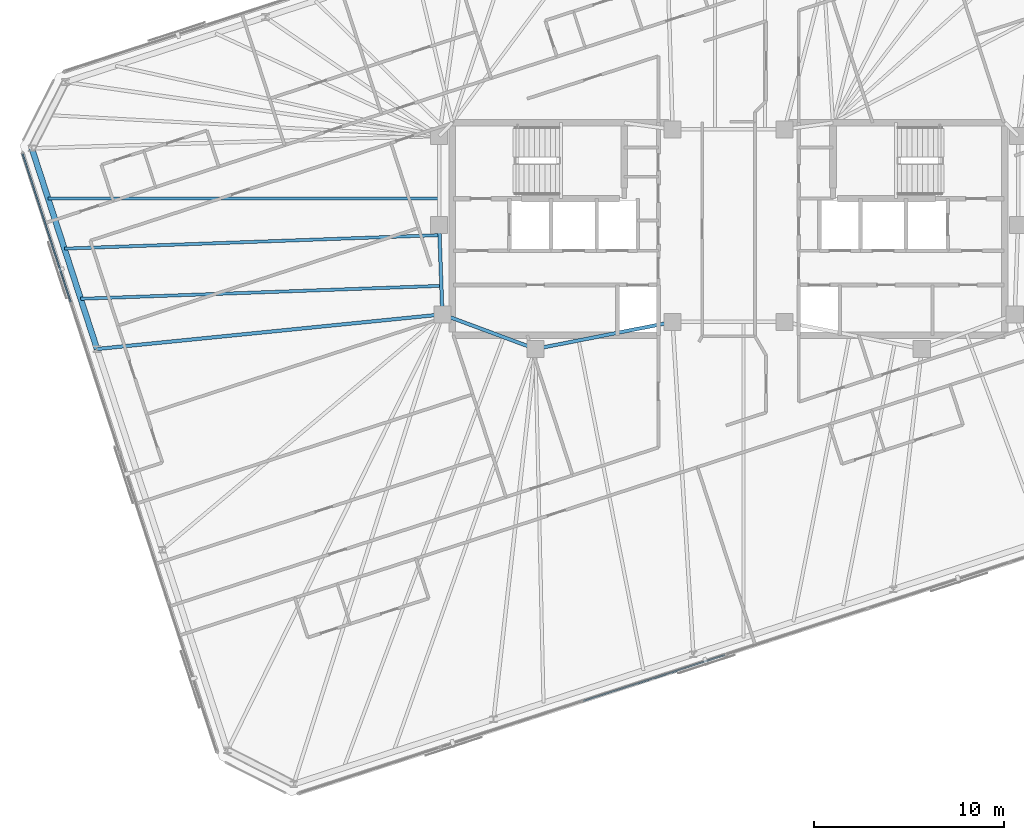
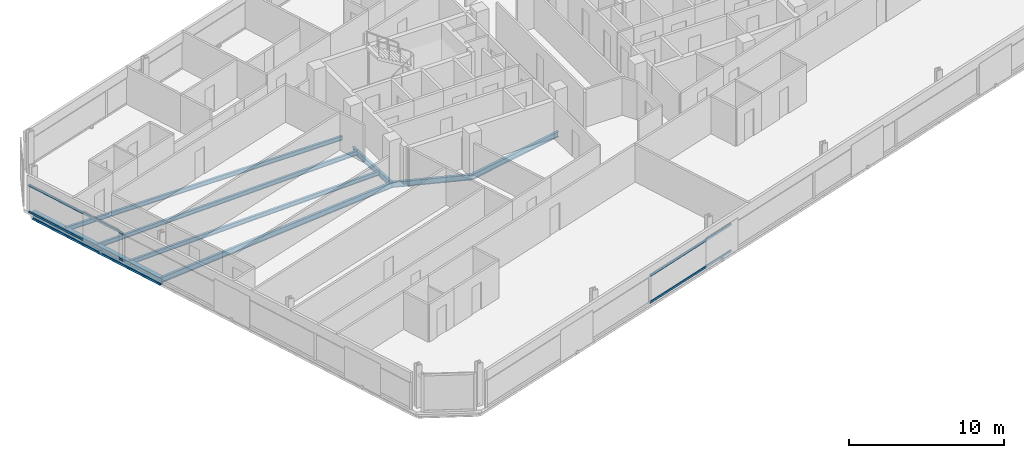
# One storey, part 6 of 19: 8 beams, 4 members, 2 elements without a shape of their own.
"""IFC4 building model written with IfcOpenShell, lengths in metres."""

from ifc_helpers import new_model, si_unit, direction, frame, origin, origin_2d, place, context, subcontext, project, spatial, rectangle, i_section, extrude, material, material_profile, profile_set, type_object, element, aggregate, save


model = new_model("IFC4")

# Units and contexts
model_context = context("Model", 3, precision=1e-05, world=origin(), true_north=direction((0.0, 1.0)))
body_context = subcontext(model_context, "Body", "Model", "MODEL_VIEW")
ifc_project = project(units=[si_unit("LENGTHUNIT", "METRE"), si_unit("AREAUNIT", "SQUARE_METRE"), si_unit("VOLUMEUNIT", "CUBIC_METRE"), si_unit("PLANEANGLEUNIT", "RADIAN"), si_unit("MASSUNIT", "GRAM", prefix="KILO")], contexts=[model_context])

# Site, building, storey
site_placement = place(None, origin())
site = spatial("IfcSite", under=ifc_project, at=site_placement, CompositionType="ELEMENT")
building_placement = place(site_placement, origin())
building = spatial("IfcBuilding", under=site, at=building_placement, Name="Menara Jurai Vektor", CompositionType="ELEMENT")
storey_placement = place(building_placement, frame((0.0, 0.0, 251.10009765625)))
storey = spatial("IfcBuildingStorey", under=building, at=storey_placement, Name="L67", CompositionType="ELEMENT", Elevation=251.10009765625)

# Curtain wall, members
ifc_material_1 = material(Name="Anodised Pale Aluminium & Low-E Double Glazing", Category="aluminium")
curtain_wall_type = type_object("IfcCurtainWallType", Name="CW-BLK4", PredefinedType="NOTDEFINED", material=ifc_material_1)
curtain_wall_1_placement = place(storey_placement, origin())
curtain_wall_1 = element("IfcCurtainWall", 1, at=curtain_wall_1_placement, inside=storey, type_object=curtain_wall_type, Name="Unitised Curtain Wall L67 F01", PredefinedType="NOTDEFINED")
ifc_material_2 = material(Name="Anodised Pale Aluminium Transom", Category="aluminium")
ifc_material_profile_1 = material_profile(ifc_material_2, rectangle(XDim=0.080078125, YDim=0.1650390625, at=origin_2d()), Name="ALU TRN 80x165")
ifc_profile_set_1 = profile_set([ifc_material_profile_1], Name="Anodised Pale Aluminium Transom")
member_type = type_object("IfcMemberType", Name="CW-BLK4-TRN", PredefinedType="USERDEFINED", material=ifc_profile_set_1)
member_1_placement = place(storey_placement, frame((-7.639404296875, -24.86669921875, 0.039794921875), z_axis=(0.951059330237, 0.309008333817, 0.0), x_axis=(-0.309008333817, 0.951059330237, 0.0)))
member_1 = element("IfcMember", 2, at=member_1_placement, type_object=member_type, Name="CW-04 transom 3.1", ObjectType="TRANSOM", PredefinedType="USERDEFINED", context=body_context, shape_type="SweptSolid", body=[
    extrude(rectangle(XDim=0.080078125, YDim=0.1650390625, at=origin_2d()), origin(), (0.0, 0.0, 1.0), 7.8115234375),
])
member_2_placement = place(storey_placement, frame((-7.639404296875, -24.86669921875, 2.135009765625), z_axis=(0.951059330237, 0.309008333817, 0.0), x_axis=(-0.309008333817, 0.951059330237, 0.0)))
member_2 = element("IfcMember", 3, at=member_2_placement, type_object=member_type, Name="CW-04 transom 3.2", ObjectType="TRANSOM", PredefinedType="USERDEFINED", context=body_context, shape_type="SweptSolid", body=[
    extrude(rectangle(XDim=0.080078125, YDim=0.1650390625, at=origin_2d()), origin(), (0.0, 0.0, 1.0), 7.8115234375),
])
aggregate(curtain_wall_1, [member_1, member_2])

curtain_wall_2_placement = place(storey_placement, origin())
curtain_wall_2 = element("IfcCurtainWall", 4, at=curtain_wall_2_placement, inside=storey, type_object=curtain_wall_type, Name="Unitised Curtain Wall L67 F07", PredefinedType="NOTDEFINED")
member_3_placement = place(storey_placement, frame((-37.19384765625, 3.950927734375, 0.039794921875), z_axis=(0.309010577384, -0.951058601278, 0.0), x_axis=(0.951058601278, 0.309010577384, 0.0)))
member_3 = element("IfcMember", 5, at=member_3_placement, type_object=member_type, Name="CW-04 transom 1.1", ObjectType="TRANSOM", PredefinedType="USERDEFINED", context=body_context, shape_type="SweptSolid", body=[
    extrude(rectangle(XDim=0.080078125, YDim=0.1650390625, at=origin_2d()), origin(), (0.0, 0.0, 1.0), 8.18994140625),
])
member_4_placement = place(storey_placement, frame((-37.19384765625, 3.950927734375, 2.135009765625), z_axis=(0.309010577384, -0.951058601278, 0.0), x_axis=(0.951058601278, 0.309010577384, 0.0)))
member_4 = element("IfcMember", 6, at=member_4_placement, type_object=member_type, Name="CW-04 transom 1.2", ObjectType="TRANSOM", PredefinedType="USERDEFINED", context=body_context, shape_type="SweptSolid", body=[
    extrude(rectangle(XDim=0.080078125, YDim=0.1650390625, at=origin_2d()), origin(), (0.0, 0.0, 1.0), 8.18994140625),
])
aggregate(curtain_wall_2, [member_3, member_4])

# Beams
ifc_material_3 = material(Name="Steel S355", Category="steel")
ifc_material_profile_2 = material_profile(ifc_material_3, i_section(OverallWidth=0.18505859375, OverallDepth=0.429931640625, WebThickness=0.010986328125, FlangeThickness=0.01806640625, at=origin_2d()), Name="PG 430x185x76")
ifc_profile_set_2 = profile_set([ifc_material_profile_2], Name="Steel S355")
beam_type_1 = type_object("IfcBeamType", Name="STR-BM-430", PredefinedType="BEAM", material=ifc_profile_set_2)
beam_1_placement = place(storey_placement, frame((-15.080078125, -4.5, -0.440185546875), z_axis=(-0.035977314146, 0.999352606874, 0.0), x_axis=(-0.999352606874, -0.035977314146, 0.0)))
element("IfcBeam", 7, at=beam_1_placement, inside=storey, type_object=beam_type_1, Name="Core Ring Header Girder L67-CHW-W2", PredefinedType="BEAM", context=body_context, shape_type="SweptSolid", body=[
    extrude(i_section(OverallWidth=0.18505859375, OverallDepth=0.429931640625, WebThickness=0.010986328125, FlangeThickness=0.01806640625, at=origin_2d()), origin(), (0.0, 0.0, 1.0), 4.72314453125),
])
beam_2_placement = place(storey_placement, frame((-15.080078125, -4.5, -0.440185546875), z_axis=(0.937424400887, -0.348188874925, 0.0), x_axis=(0.348188874925, 0.937424400887, 0.0)))
element("IfcBeam", 8, at=beam_2_placement, inside=storey, type_object=beam_type_1, Name="Core Ring Header Girder L67-CHW-S1", PredefinedType="BEAM", context=body_context, shape_type="SweptSolid", body=[
    extrude(i_section(OverallWidth=0.18505859375, OverallDepth=0.429931640625, WebThickness=0.010986328125, FlangeThickness=0.01806640625, at=origin_2d()), origin(), (0.0, 0.0, 1.0), 5.227294921875),
])
beam_3_placement = place(storey_placement, frame((-10.179931640625, -6.320068359375, -0.440185546875), z_axis=(0.981249044334, 0.192744164614, 0.0), x_axis=(-0.192744164614, 0.981249044334, 0.0)))
element("IfcBeam", 9, at=beam_3_placement, inside=storey, type_object=beam_type_1, Name="Core Ring Header Girder L67-CHW-S2", PredefinedType="BEAM", context=body_context, shape_type="SweptSolid", body=[
    extrude(i_section(OverallWidth=0.18505859375, OverallDepth=0.429931640625, WebThickness=0.010986328125, FlangeThickness=0.01806640625, at=origin_2d()), origin(), (0.0, 0.0, 1.0), 7.3681640625),
])
beam_4_placement = place(storey_placement, frame((-33.277587890625, -6.322509765625, -0.440185546875), z_axis=(0.995022243563, 0.099653072276, 0.0), x_axis=(-0.099653072276, 0.995022243563, 0.0)))
element("IfcBeam", 10, at=beam_4_placement, inside=storey, type_object=beam_type_1, Name="Radial Floor Girder L67-W2", PredefinedType="BEAM", context=body_context, shape_type="SweptSolid", body=[
    extrude(i_section(OverallWidth=0.18505859375, OverallDepth=0.429931640625, WebThickness=0.010986328125, FlangeThickness=0.01806640625, at=origin_2d()), origin(), (0.0, 0.0, 1.0), 18.28857421875),
])
ifc_material_profile_3 = material_profile(ifc_material_3, i_section(OverallWidth=0.1650390625, OverallDepth=0.330078125, WebThickness=0.009033203125, FlangeThickness=0.013916015625, at=origin_2d()), Name="PG 330x165x46")
ifc_profile_set_3 = profile_set([ifc_material_profile_3], Name="Steel S355")
beam_type_2 = type_object("IfcBeamType", Name="STR-JS-330", PredefinedType="JOIST", material=ifc_profile_set_3)
beam_5_placement = place(storey_placement, frame((-35.8544921875, 1.6083984375, -0.39013671875), z_axis=(1.0, 0.0, 0.0), x_axis=(0.0, 1.0, 0.0)))
element("IfcBeam", 11, at=beam_5_placement, inside=storey, type_object=beam_type_2, Name="Radial Secondary Floor Joist L67-JS28", PredefinedType="JOIST", context=body_context, shape_type="SweptSolid", body=[
    extrude(i_section(OverallWidth=0.1650390625, OverallDepth=0.330078125, WebThickness=0.009033203125, FlangeThickness=0.013916015625, at=origin_2d()), origin(), (0.0, 0.0, 1.0), 20.6044921875),
])
beam_6_placement = place(storey_placement, frame((-34.99560546875, -1.03515625, -0.39013671875), z_axis=(0.999351957959, 0.035995334734, 0.0), x_axis=(-0.035995334734, 0.999351957959, 0.0)))
element("IfcBeam", 12, at=beam_6_placement, inside=storey, type_object=beam_type_2, Name="Radial Secondary Floor Joist L67-JS29", PredefinedType="JOIST", context=body_context, shape_type="SweptSolid", body=[
    extrude(i_section(OverallWidth=0.1650390625, OverallDepth=0.330078125, WebThickness=0.009033203125, FlangeThickness=0.013916015625, at=origin_2d()), origin(), (0.0, 0.0, 1.0), 19.77783203125),
])
beam_7_placement = place(storey_placement, frame((-34.136474609375, -3.6787109375, -0.39013671875), z_axis=(0.999352161922, 0.035989671603, 0.0), x_axis=(-0.035989671603, 0.999352161922, 0.0)))
element("IfcBeam", 13, at=beam_7_placement, inside=storey, type_object=beam_type_2, Name="Radial Secondary Floor Joist L67-JS30", PredefinedType="JOIST", context=body_context, shape_type="SweptSolid", body=[
    extrude(i_section(OverallWidth=0.1650390625, OverallDepth=0.330078125, WebThickness=0.009033203125, FlangeThickness=0.013916015625, at=origin_2d()), origin(), (0.0, 0.0, 1.0), 19.014404296875),
])
ifc_material_profile_4 = material_profile(ifc_material_3, i_section(OverallWidth=0.306884765625, OverallDepth=0.6201171875, WebThickness=0.013916015625, FlangeThickness=0.02392578125, FilletRadius=0.01708984375, at=origin_2d()), Name="UKB 610x305x179")
ifc_profile_set_4 = profile_set([ifc_material_profile_4], Name="Steel S355")
beam_type_3 = type_object("IfcBeamType", Name="STR-SP-610", PredefinedType="SPANDREL", material=ifc_profile_set_4)
beam_8_placement = place(storey_placement, frame((-36.71337890625, 4.251953125, -0.53515625), z_axis=(0.309012092614, -0.95105810896, 0.0), x_axis=(0.95105810896, 0.309012092614, 0.0)))
element("IfcBeam", 14, at=beam_8_placement, inside=storey, type_object=beam_type_3, Name="Exoskeleton Spandrel Beam L67-17", PredefinedType="SPANDREL", context=body_context, shape_type="SweptSolid", body=[
    extrude(i_section(OverallWidth=0.306884765625, OverallDepth=0.6201171875, WebThickness=0.013916015625, FlangeThickness=0.02392578125, FilletRadius=0.01708984375, at=origin_2d()), origin(), (0.0, 0.0, 1.0), 11.11865234375),
])

save(model, "model.ifc")
